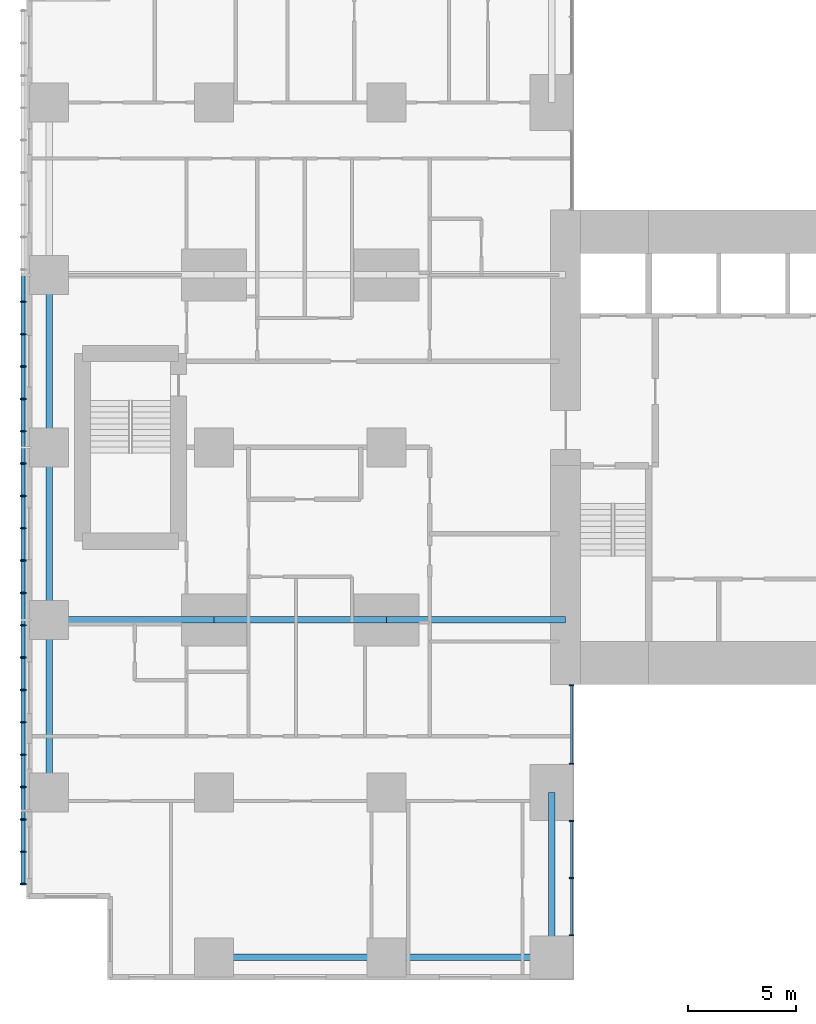
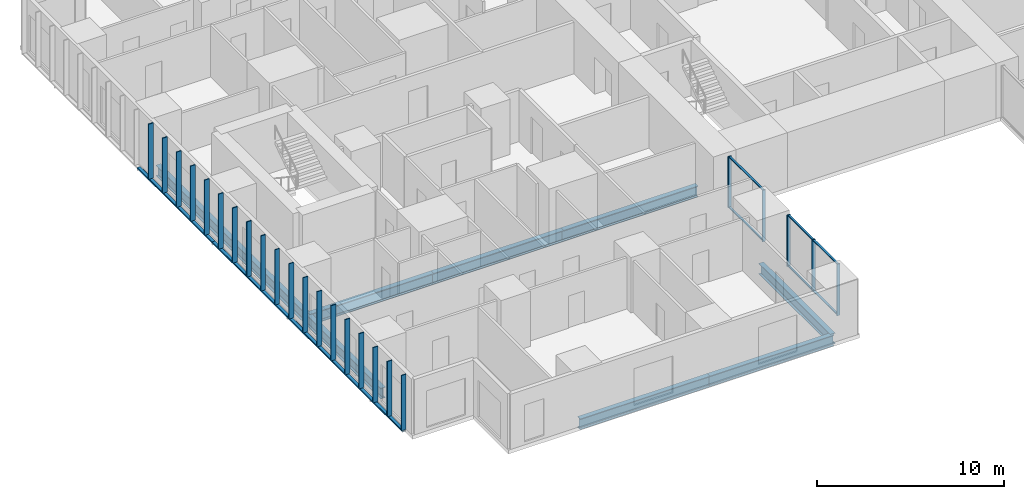
# One storey, part 2 of 20: 33 members, 9 beams, 2 elements without a shape of their own.
"""IFC4 building model written with IfcOpenShell, lengths in metres."""

from ifc_helpers import new_model, si_unit, direction, frame, origin, origin_2d, place, context, subcontext, project, spatial, rectangle, hollow_rectangle, i_section, extrude, material, layer, layer_set, material_profile, profile_set, type_object, element, aggregate, save


model = new_model("IFC4")

# Units and contexts
model_context = context("Model", 3, precision=1e-05, world=origin(), true_north=direction((0.0, 1.0)))
body_context = subcontext(model_context, "Body", "Model", "MODEL_VIEW")
ifc_project = project(units=[si_unit("LENGTHUNIT", "METRE"), si_unit("AREAUNIT", "SQUARE_METRE"), si_unit("VOLUMEUNIT", "CUBIC_METRE"), si_unit("PLANEANGLEUNIT", "RADIAN"), si_unit("MASSUNIT", "GRAM", prefix="KILO")], contexts=[model_context])

# Site, building, storey
site_placement = place(None, origin())
site = spatial("IfcSite", under=ifc_project, at=site_placement, CompositionType="ELEMENT")
building_placement = place(site_placement, origin())
building = spatial("IfcBuilding", under=site, at=building_placement, Name="Cleftline Residences", CompositionType="ELEMENT")
storey_placement = place(building_placement, frame((0.0, 0.0, 185.800048828125)))
storey = spatial("IfcBuildingStorey", under=building, at=storey_placement, Name="L48", CompositionType="ELEMENT", Elevation=185.800048828125)

# Members
ifc_material_1 = material(Name="Steel S355, hot-dip galvanised", Category="steel")
ifc_material_profile_1 = material_profile(ifc_material_1, hollow_rectangle(XDim=0.10009765625, YDim=0.199951171875, WallThickness=0.008056640625, InnerFilletRadius=0.008056640625, OuterFilletRadius=0.011962890625, at=origin_2d()))
ifc_profile_set_1 = profile_set([ifc_material_profile_1], Name="Steel S355, hot-dip galvanised")
member_type_1 = type_object("IfcMemberType", Name="BAGUETTE CARRIER RHS 200X100X8", PredefinedType="USERDEFINED", material=ifc_profile_set_1)
for number, where, z_axis, x_axis, name in (
    (1, (-0.85009765625, 32.0, -0.050048828125), (0.0, -1.0, 0.0), (0.0, 0.0, 1.0), "Baguette carrier"),
    (2, (-0.85009765625, 24.0, -0.050048828125), (0.0, -1.0, 0.0), (0.0, 0.0, 1.0), "Baguette carrier"),
):
    element("IfcMember", number, at=place(storey_placement, frame(where, z_axis=z_axis, x_axis=x_axis)), inside=storey, type_object=member_type_1, Name=name, ObjectType="BAGUETTE CARRIER", PredefinedType="USERDEFINED", context=body_context, shape_type="SweptSolid", body=[
        extrude(hollow_rectangle(XDim=0.10009765625, YDim=0.199951171875, WallThickness=0.008056640625, InnerFilletRadius=0.008056640625, OuterFilletRadius=0.011962890625, at=origin_2d()), origin(), (0.0, 0.0, 1.0), 8.0),
    ])
member_1_placement = place(storey_placement, frame((-0.85009765625, 16.0, -0.050048828125), z_axis=(0.0, -1.0, 0.0), x_axis=(0.0, 0.0, 1.0)))
element("IfcMember", 3, at=member_1_placement, inside=storey, type_object=member_type_1, Name="Baguette carrier", ObjectType="BAGUETTE CARRIER", PredefinedType="USERDEFINED", context=body_context, shape_type="SweptSolid", body=[
    extrude(hollow_rectangle(XDim=0.10009765625, YDim=0.199951171875, WallThickness=0.008056640625, InnerFilletRadius=0.008056640625, OuterFilletRadius=0.011962890625, at=origin_2d()), origin(), (0.0, 0.0, 1.0), 12.300048828125),
])

# Beams
ifc_material_2 = material(Name="Steel S355", Category="steel")
ifc_material_profile_2 = material_profile(ifc_material_2, i_section(OverallWidth=0.300048828125, OverallDepth=0.699951171875, WebThickness=0.01708984375, FlangeThickness=0.031982421875, FilletRadius=0.027099609375, at=origin_2d()))
ifc_profile_set_2 = profile_set([ifc_material_profile_2], Name="Steel S355")
beam_type_1 = type_object("IfcBeamType", Name="BEAM HEB 700", PredefinedType="BEAM", material=ifc_profile_set_2)
for number, where, z_axis, x_axis, name in (
    (4, (0.35009765625, 8.0, -0.60009765625), (0.0, 1.0, 0.0), (-1.0, 0.0, 0.0), "Edge beam"),
    (5, (0.35009765625, 16.0, -0.60009765625), (0.0, 1.0, 0.0), (-1.0, 0.0, 0.0), "Edge beam"),
    (6, (0.35009765625, 24.0, -0.60009765625), (0.0, 1.0, 0.0), (-1.0, 0.0, 0.0), "Edge beam"),
    (7, (8.0, 0.35009765625, -0.60009765625), (1.0, 0.0, 0.0), (0.0, 1.0, 0.0), "Edge beam"),
):
    element("IfcBeam", number, at=place(storey_placement, frame(where, z_axis=z_axis, x_axis=x_axis)), inside=storey, type_object=beam_type_1, Name=name, PredefinedType="BEAM", context=body_context, shape_type="SweptSolid", body=[
        extrude(i_section(OverallWidth=0.300048828125, OverallDepth=0.699951171875, WebThickness=0.01708984375, FlangeThickness=0.031982421875, FilletRadius=0.027099609375, at=origin_2d()), origin(), (0.0, 0.0, 1.0), 8.0),
    ])
for number, where, z_axis, x_axis, name in (
    (8, (16.0, 0.35009765625, -0.60009765625), (1.0, 0.0, 0.0), (0.0, 1.0, 0.0), "Edge beam"),
    (9, (23.64990234375, 0.35009765625, -0.60009765625), (0.0, 1.0, 0.0), (-1.0, 0.0, 0.0), "Edge beam"),
):
    element("IfcBeam", number, at=place(storey_placement, frame(where, z_axis=z_axis, x_axis=x_axis)), inside=storey, type_object=beam_type_1, Name=name, PredefinedType="BEAM", context=body_context, shape_type="SweptSolid", body=[
        extrude(i_section(OverallWidth=0.300048828125, OverallDepth=0.699951171875, WebThickness=0.01708984375, FlangeThickness=0.031982421875, FilletRadius=0.027099609375, at=origin_2d()), origin(), (0.0, 0.0, 1.0), 7.64990234375),
    ])
ifc_material_3 = material(Name="Steel S355", Category="steel")
ifc_material_profile_3 = material_profile(ifc_material_3, i_section(OverallWidth=0.303955078125, OverallDepth=0.716064453125, WebThickness=0.02099609375, FlangeThickness=0.0400390625, FilletRadius=0.027099609375, at=origin_2d()))
ifc_profile_set_3 = profile_set([ifc_material_profile_3], Name="Steel S355")
beam_type_2 = type_object("IfcBeamType", Name="BEAM HEM 700", PredefinedType="BEAM", material=ifc_profile_set_3)
beam_1_placement = place(storey_placement, frame((0.35009765625, 16.0, -0.608154296875), z_axis=(1.0, 0.0, 0.0), x_axis=(0.0, 1.0, 0.0)))
element("IfcBeam", 10, at=beam_1_placement, inside=storey, type_object=beam_type_2, Name="Band beam", PredefinedType="BEAM", context=body_context, shape_type="SweptSolid", body=[
    extrude(i_section(OverallWidth=0.303955078125, OverallDepth=0.716064453125, WebThickness=0.02099609375, FlangeThickness=0.0400390625, FilletRadius=0.027099609375, at=origin_2d()), origin(), (0.0, 0.0, 1.0), 7.64990234375),
])
beam_2_placement = place(storey_placement, frame((8.0, 16.0, -0.608154296875), z_axis=(1.0, 0.0, 0.0), x_axis=(0.0, 1.0, 0.0)))
element("IfcBeam", 11, at=beam_2_placement, inside=storey, type_object=beam_type_2, Name="Band beam", PredefinedType="BEAM", context=body_context, shape_type="SweptSolid", body=[
    extrude(i_section(OverallWidth=0.303955078125, OverallDepth=0.716064453125, WebThickness=0.02099609375, FlangeThickness=0.0400390625, FilletRadius=0.027099609375, at=origin_2d()), origin(), (0.0, 0.0, 1.0), 8.0),
])
beam_3_placement = place(storey_placement, frame((16.0, 16.0, -0.608154296875), z_axis=(1.0, 0.0, 0.0), x_axis=(0.0, 1.0, 0.0)))
element("IfcBeam", 12, at=beam_3_placement, inside=storey, type_object=beam_type_2, Name="Band beam", PredefinedType="BEAM", context=body_context, shape_type="SweptSolid", body=[
    extrude(i_section(OverallWidth=0.303955078125, OverallDepth=0.716064453125, WebThickness=0.02099609375, FlangeThickness=0.0400390625, FilletRadius=0.027099609375, at=origin_2d()), origin(), (0.0, 0.0, 1.0), 8.300048828125),
])

# Curtain wall, members
ifc_material_4 = material(Name="Aluminium framed curtain wall", Category="aluminium")
ifc_layer = layer(ifc_material_4, 0.199951171875)
ifc_layer_set = layer_set([ifc_layer], Name="CW1 CLEFT GLAZING")
curtain_wall_type = type_object("IfcCurtainWallType", Name="CW1 CLEFT GLAZING", PredefinedType="NOTDEFINED", material=ifc_layer_set)
curtain_wall_1_placement = place(storey_placement, origin())
curtain_wall_1 = element("IfcCurtainWall", 13, at=curtain_wall_1_placement, inside=storey, type_object=curtain_wall_type, Name="Curtain wall CW1", PredefinedType="NOTDEFINED")
ifc_material_5 = material(Name="Aluminium mullion", Category="aluminium")
ifc_material_profile_4 = material_profile(ifc_material_5, rectangle(XDim=0.199951171875, YDim=0.06005859375, at=origin_2d()))
ifc_profile_set_4 = profile_set([ifc_material_profile_4], Name="Aluminium mullion")
member_type_2 = type_object("IfcMemberType", Name="CW1 MULLION", PredefinedType="MULLION", material=ifc_profile_set_4)
member_2_placement = place(storey_placement, frame((24.574951171875, 1.3798828125, 0.0), z_axis=(0.0, 0.0, 1.0), x_axis=(-1.0, 0.0, 0.0)))
member_2 = element("IfcMember", 14, at=member_2_placement, type_object=member_type_2, Name="CW1 mullion 1", PredefinedType="MULLION", context=body_context, shape_type="SweptSolid", body=[
    extrude(rectangle(XDim=0.199951171875, YDim=0.06005859375, at=origin_2d()), origin(), (0.0, 0.0, 1.0), 3.349853515625),
])
member_3_placement = place(storey_placement, frame((24.574951171875, 4.02490234375, 0.0), z_axis=(0.0, 0.0, 1.0), x_axis=(-1.0, 0.0, 0.0)))
member_3 = element("IfcMember", 15, at=member_3_placement, type_object=member_type_2, Name="CW1 mullion 2", PredefinedType="MULLION", context=body_context, shape_type="SweptSolid", body=[
    extrude(rectangle(XDim=0.199951171875, YDim=0.06005859375, at=origin_2d()), origin(), (0.0, 0.0, 1.0), 3.349853515625),
])
member_4_placement = place(storey_placement, frame((24.574951171875, 6.669921875, 0.0), z_axis=(0.0, 0.0, 1.0), x_axis=(-1.0, 0.0, 0.0)))
member_4 = element("IfcMember", 16, at=member_4_placement, type_object=member_type_2, Name="CW1 mullion 3", PredefinedType="MULLION", context=body_context, shape_type="SweptSolid", body=[
    extrude(rectangle(XDim=0.199951171875, YDim=0.06005859375, at=origin_2d()), origin(), (0.0, 0.0, 1.0), 3.349853515625),
])

curtain_wall_2_placement = place(storey_placement, origin())
curtain_wall_2 = element("IfcCurtainWall", 17, at=curtain_wall_2_placement, inside=storey, type_object=curtain_wall_type, Name="Curtain wall CW1", PredefinedType="NOTDEFINED")
member_5_placement = place(storey_placement, frame((24.574951171875, 9.330078125, 0.0), z_axis=(0.0, 0.0, 1.0), x_axis=(-1.0, 0.0, 0.0)))
member_5 = element("IfcMember", 18, at=member_5_placement, type_object=member_type_2, Name="CW1 mullion 1", PredefinedType="MULLION", context=body_context, shape_type="SweptSolid", body=[
    extrude(rectangle(XDim=0.199951171875, YDim=0.06005859375, at=origin_2d()), origin(), (0.0, 0.0, 1.0), 3.349853515625),
])
member_6_placement = place(storey_placement, frame((24.574951171875, 12.969970703125, 0.0), z_axis=(0.0, 0.0, 1.0), x_axis=(-1.0, 0.0, 0.0)))
member_6 = element("IfcMember", 19, at=member_6_placement, type_object=member_type_2, Name="CW1 mullion 2", PredefinedType="MULLION", context=body_context, shape_type="SweptSolid", body=[
    extrude(rectangle(XDim=0.199951171875, YDim=0.06005859375, at=origin_2d()), origin(), (0.0, 0.0, 1.0), 3.349853515625),
])

# Member
ifc_material_6 = material(Name="Aluminium transom", Category="aluminium")
ifc_material_profile_5 = material_profile(ifc_material_6, rectangle(XDim=0.1201171875, YDim=0.06005859375, at=origin_2d()))
ifc_profile_set_5 = profile_set([ifc_material_profile_5], Name="Aluminium transom")
member_type_3 = type_object("IfcMemberType", Name="CW1 TRANSOM", PredefinedType="USERDEFINED", material=ifc_profile_set_5)
member_7_placement = place(storey_placement, frame((24.574951171875, 1.409912109375, 0.030029296875), z_axis=(0.0, 1.0, 0.0), x_axis=(-1.0, 0.0, 0.0)))
member_7 = element("IfcMember", 20, at=member_7_placement, type_object=member_type_3, Name="CW1 transom 1.1", ObjectType="TRANSOM", PredefinedType="USERDEFINED", context=body_context, shape_type="SweptSolid", body=[
    extrude(rectangle(XDim=0.1201171875, YDim=0.06005859375, at=origin_2d()), origin(), (0.0, 0.0, 1.0), 2.585205078125),
])

member_8_placement = place(storey_placement, frame((24.574951171875, 1.409912109375, 3.320068359375), z_axis=(0.0, 1.0, 0.0), x_axis=(-1.0, 0.0, 0.0)))
member_8 = element("IfcMember", 21, at=member_8_placement, type_object=member_type_3, Name="CW1 transom 1.2", ObjectType="TRANSOM", PredefinedType="USERDEFINED", context=body_context, shape_type="SweptSolid", body=[
    extrude(rectangle(XDim=0.1201171875, YDim=0.06005859375, at=origin_2d()), origin(), (0.0, 0.0, 1.0), 2.585205078125),
])

member_9_placement = place(storey_placement, frame((24.574951171875, 4.054931640625, 0.030029296875), z_axis=(0.0, 1.0, 0.0), x_axis=(-1.0, 0.0, 0.0)))
member_9 = element("IfcMember", 22, at=member_9_placement, type_object=member_type_3, Name="CW1 transom 2.1", ObjectType="TRANSOM", PredefinedType="USERDEFINED", context=body_context, shape_type="SweptSolid", body=[
    extrude(rectangle(XDim=0.1201171875, YDim=0.06005859375, at=origin_2d()), origin(), (0.0, 0.0, 1.0), 2.5849609375),
])

member_10_placement = place(storey_placement, frame((24.574951171875, 4.054931640625, 3.320068359375), z_axis=(0.0, 1.0, 0.0), x_axis=(-1.0, 0.0, 0.0)))
member_10 = element("IfcMember", 23, at=member_10_placement, type_object=member_type_3, Name="CW1 transom 2.2", ObjectType="TRANSOM", PredefinedType="USERDEFINED", context=body_context, shape_type="SweptSolid", body=[
    extrude(rectangle(XDim=0.1201171875, YDim=0.06005859375, at=origin_2d()), origin(), (0.0, 0.0, 1.0), 2.5849609375),
])

aggregate(curtain_wall_1, [member_2, member_3, member_4, member_7, member_8, member_9, member_10])

member_11_placement = place(storey_placement, frame((24.574951171875, 9.360107421875, 0.030029296875), z_axis=(0.0, 1.0, 0.0), x_axis=(-1.0, 0.0, 0.0)))
member_11 = element("IfcMember", 24, at=member_11_placement, type_object=member_type_3, Name="CW1 transom 1.1", ObjectType="TRANSOM", PredefinedType="USERDEFINED", context=body_context, shape_type="SweptSolid", body=[
    extrude(rectangle(XDim=0.1201171875, YDim=0.06005859375, at=origin_2d()), origin(), (0.0, 0.0, 1.0), 3.579833984375),
])

member_12_placement = place(storey_placement, frame((24.574951171875, 9.360107421875, 3.320068359375), z_axis=(0.0, 1.0, 0.0), x_axis=(-1.0, 0.0, 0.0)))
member_12 = element("IfcMember", 25, at=member_12_placement, type_object=member_type_3, Name="CW1 transom 1.2", ObjectType="TRANSOM", PredefinedType="USERDEFINED", context=body_context, shape_type="SweptSolid", body=[
    extrude(rectangle(XDim=0.1201171875, YDim=0.06005859375, at=origin_2d()), origin(), (0.0, 0.0, 1.0), 3.579833984375),
])

aggregate(curtain_wall_2, [member_5, member_6, member_11, member_12])

# Members
ifc_material_7 = material(Name="Extruded terracotta", Category="masonry")
ifc_material_profile_6 = material_profile(ifc_material_7, rectangle(XDim=0.06005859375, YDim=0.300048828125, at=origin_2d()))
ifc_profile_set_6 = profile_set([ifc_material_profile_6], Name="Extruded terracotta")
member_type_4 = type_object("IfcMemberType", Name="TERRACOTTA BAGUETTE 60X300", PredefinedType="USERDEFINED", material=ifc_profile_set_6)
for number, where, z_axis, x_axis, name in (
    (26, (-0.85009765625, 30.75, 0.0), (0.0, 0.0, 1.0), (0.0, 1.0, 0.0), "Terracotta baguette"),
    (27, (-0.85009765625, 29.25, 0.0), (0.0, 0.0, 1.0), (0.0, 1.0, 0.0), "Terracotta baguette"),
    (28, (-0.85009765625, 27.75, 0.0), (0.0, 0.0, 1.0), (0.0, 1.0, 0.0), "Terracotta baguette"),
    (29, (-0.85009765625, 26.25, 0.0), (0.0, 0.0, 1.0), (0.0, 1.0, 0.0), "Terracotta baguette"),
    (30, (-0.85009765625, 24.75, 0.0), (0.0, 0.0, 1.0), (0.0, 1.0, 0.0), "Terracotta baguette"),
    (31, (-0.85009765625, 23.25, 0.0), (0.0, 0.0, 1.0), (0.0, 1.0, 0.0), "Terracotta baguette"),
    (32, (-0.85009765625, 21.75, 0.0), (0.0, 0.0, 1.0), (0.0, 1.0, 0.0), "Terracotta baguette"),
    (33, (-0.85009765625, 20.25, 0.0), (0.0, 0.0, 1.0), (0.0, 1.0, 0.0), "Terracotta baguette"),
    (34, (-0.85009765625, 18.75, 0.0), (0.0, 0.0, 1.0), (0.0, 1.0, 0.0), "Terracotta baguette"),
    (35, (-0.85009765625, 17.25, 0.0), (0.0, 0.0, 1.0), (0.0, 1.0, 0.0), "Terracotta baguette"),
    (36, (-0.85009765625, 15.75, 0.0), (0.0, 0.0, 1.0), (0.0, 1.0, 0.0), "Terracotta baguette"),
    (37, (-0.85009765625, 14.25, 0.0), (0.0, 0.0, 1.0), (0.0, 1.0, 0.0), "Terracotta baguette"),
    (38, (-0.85009765625, 12.75, 0.0), (0.0, 0.0, 1.0), (0.0, 1.0, 0.0), "Terracotta baguette"),
    (39, (-0.85009765625, 11.25, 0.0), (0.0, 0.0, 1.0), (0.0, 1.0, 0.0), "Terracotta baguette"),
    (40, (-0.85009765625, 9.75, 0.0), (0.0, 0.0, 1.0), (0.0, 1.0, 0.0), "Terracotta baguette"),
    (41, (-0.85009765625, 8.25, 0.0), (0.0, 0.0, 1.0), (0.0, 1.0, 0.0), "Terracotta baguette"),
    (42, (-0.85009765625, 6.75, 0.0), (0.0, 0.0, 1.0), (0.0, 1.0, 0.0), "Terracotta baguette"),
    (43, (-0.85009765625, 5.25, 0.0), (0.0, 0.0, 1.0), (0.0, 1.0, 0.0), "Terracotta baguette"),
    (44, (-0.85009765625, 3.75, 0.0), (0.0, 0.0, 1.0), (0.0, 1.0, 0.0), "Terracotta baguette"),
):
    element("IfcMember", number, at=place(storey_placement, frame(where, z_axis=z_axis, x_axis=x_axis)), inside=storey, type_object=member_type_4, Name=name, ObjectType="BAGUETTE", PredefinedType="USERDEFINED", context=body_context, shape_type="SweptSolid", body=[
        extrude(rectangle(XDim=0.06005859375, YDim=0.300048828125, at=origin_2d()), origin(), (0.0, 0.0, 1.0), 3.599853515625),
    ])

save(model, "model.ifc")
